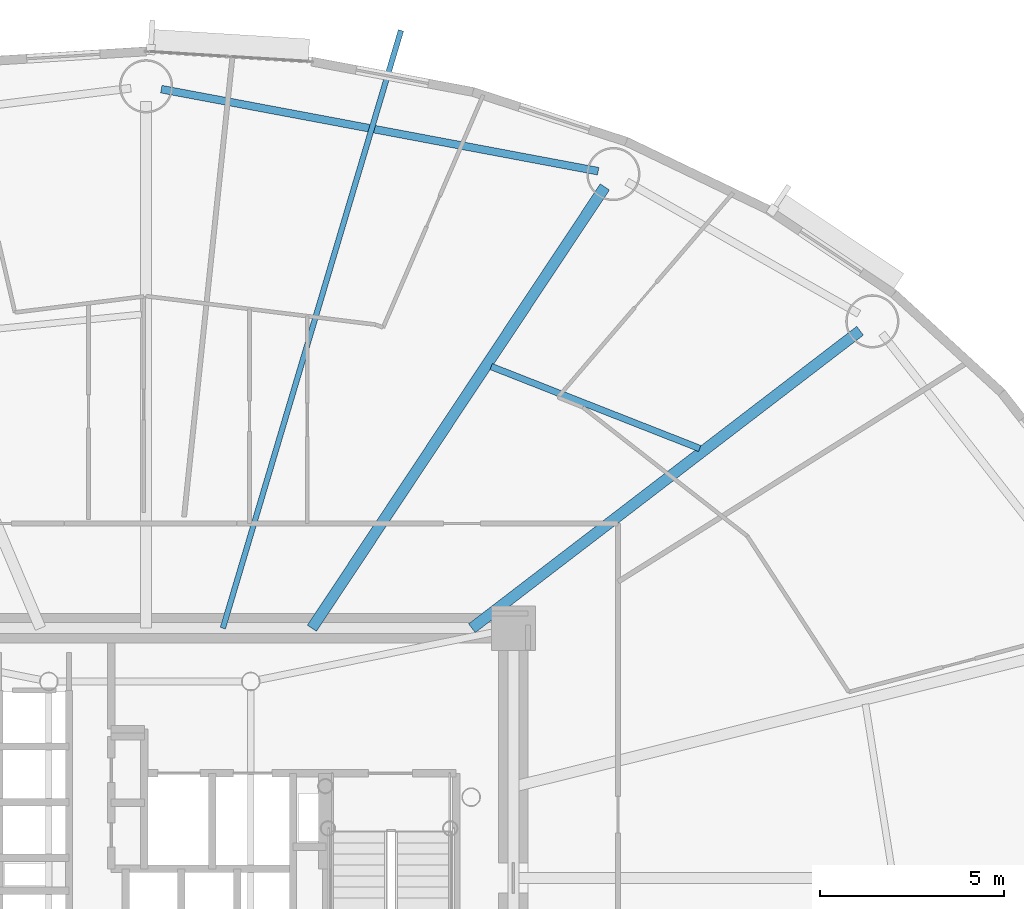
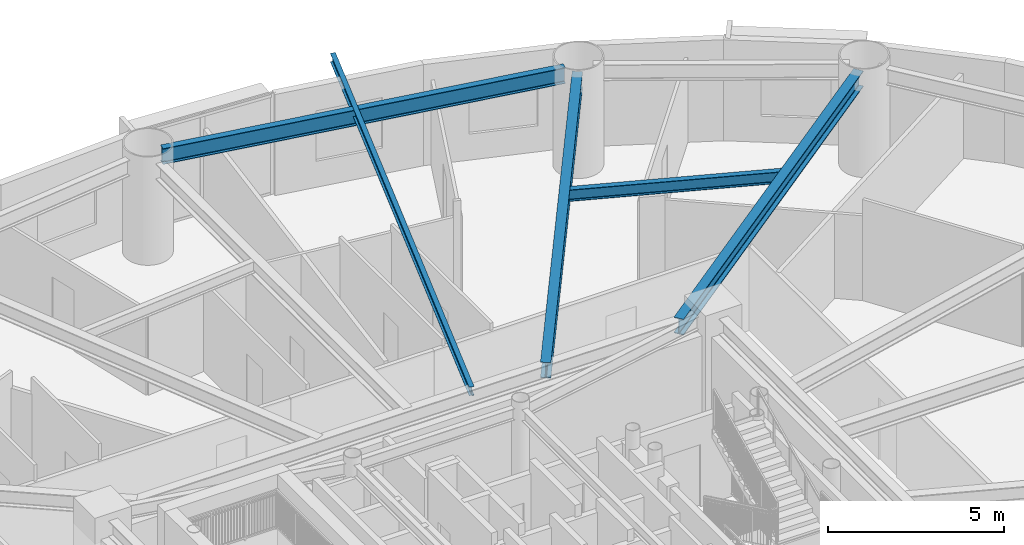
# One storey, part 5 of 18: 5 beams.
"""IFC4 building model written with IfcOpenShell, lengths in metres."""

from ifc_helpers import new_model, si_unit, direction, frame, origin, origin_2d, place, context, subcontext, project, spatial, i_section, extrude, material, material_profile, profile_set, type_object, element, save


model = new_model("IFC4")

# Units and contexts
model_context = context("Model", 3, precision=1e-05, world=origin(), true_north=direction((0.0, 1.0)))
body_context = subcontext(model_context, "Body", "Model", "MODEL_VIEW")
ifc_project = project(units=[si_unit("LENGTHUNIT", "METRE"), si_unit("AREAUNIT", "SQUARE_METRE"), si_unit("VOLUMEUNIT", "CUBIC_METRE"), si_unit("PLANEANGLEUNIT", "RADIAN"), si_unit("MASSUNIT", "GRAM", prefix="KILO")], contexts=[model_context])

# Site, building, storey
site_placement = place(None, origin())
site = spatial("IfcSite", under=ifc_project, at=site_placement, CompositionType="ELEMENT")
building_placement = place(site_placement, origin())
building = spatial("IfcBuilding", under=site, at=building_placement, Name="Linh Dai School and Residence Tower", CompositionType="ELEMENT")
storey_placement = place(building_placement, frame((0.0, 0.0, 123.449951171875)))
storey = spatial("IfcBuildingStorey", under=building, at=storey_placement, Name="L29", CompositionType="ELEMENT", Elevation=123.449951171875)

# Beams
ifc_material = material(Name="Structural Steel S355JR", Category="steel")
ifc_material_profile_1 = material_profile(ifc_material, i_section(OverallWidth=0.14990234375, OverallDepth=0.300048828125, WebThickness=0.007080078125, FlangeThickness=0.0107421875, at=origin_2d()), Name="IPE 300")
ifc_profile_set_1 = profile_set([ifc_material_profile_1], Name="Structural Steel S355JR")
beam_type_1 = type_object("IfcBeamType", Name="BM-BALC-CANT", PredefinedType="BEAM", material=ifc_profile_set_1)
beam_1_placement = place(storey_placement, frame((38.08935546875, 33.800048828125, 3.35009765625), z_axis=(0.285602713269, 0.958348104904, 0.0), x_axis=(-0.958348104904, 0.285602713269, 0.0)))
element("IfcBeam", 1, at=beam_1_placement, inside=storey, type_object=beam_type_1, Name="L30 Balcony Continuous Cantilever Beam 09", PredefinedType="BEAM", context=body_context, shape_type="SweptSolid", body=[
    extrude(i_section(OverallWidth=0.14990234375, OverallDepth=0.300048828125, WebThickness=0.007080078125, FlangeThickness=0.0107421875, at=origin_2d()), origin(), (0.0, 0.0, 1.0), 16.984619140625),
])
ifc_material_profile_2 = material_profile(ifc_material, i_section(OverallWidth=0.2099609375, OverallDepth=0.550048828125, WebThickness=0.010986328125, FlangeThickness=0.01708984375, FilletRadius=0.02392578125, at=origin_2d()), Name="IPE 550")
ifc_profile_set_2 = profile_set([ifc_material_profile_2], Name="Structural Steel S355JR")
beam_type_2 = type_object("IfcBeamType", Name="BM-RB55", PredefinedType="BEAM", material=ifc_profile_set_2)
beam_2_placement = place(storey_placement, frame((48.30908203125, 46.24267578125, 3.22509765625), z_axis=(-0.982807507457, 0.184633158685, 0.0), x_axis=(-0.184633158685, -0.982807507457, 0.0)))
element("IfcBeam", 2, at=beam_2_placement, inside=storey, type_object=beam_type_2, Name="L29 Perimeter Elliptical Ring Beam 04", PredefinedType="BEAM", context=body_context, shape_type="SweptSolid", body=[
    extrude(i_section(OverallWidth=0.2099609375, OverallDepth=0.550048828125, WebThickness=0.010986328125, FlangeThickness=0.01708984375, FilletRadius=0.02392578125, at=origin_2d()), origin(), (0.0, 0.0, 1.0), 12.104248046875),
])
ifc_material_profile_3 = material_profile(ifc_material, i_section(OverallWidth=0.300048828125, OverallDepth=0.550048828125, WebThickness=0.014892578125, FlangeThickness=0.029052734375, FilletRadius=0.027099609375, at=origin_2d()), Name="HEB 550")
ifc_profile_set_3 = profile_set([ifc_material_profile_3], Name="Structural Steel S355JR")
beam_type_3 = type_object("IfcBeamType", Name="BM-RG55", PredefinedType="BEAM", material=ifc_profile_set_3)
beam_3_placement = place(storey_placement, frame((44.87158203125, 33.800048828125, 3.22509765625), z_axis=(0.793678660795, 0.608337228352, 0.0), x_axis=(-0.608337228352, 0.793678660795, 0.0)))
element("IfcBeam", 3, at=beam_3_placement, inside=storey, type_object=beam_type_3, Name="L29 Primary Radial Floor Girder 03", PredefinedType="BEAM", context=body_context, shape_type="SweptSolid", body=[
    extrude(i_section(OverallWidth=0.300048828125, OverallDepth=0.550048828125, WebThickness=0.014892578125, FlangeThickness=0.029052734375, FilletRadius=0.027099609375, at=origin_2d()), origin(), (0.0, 0.0, 1.0), 13.314697265625),
])
beam_4_placement = place(storey_placement, frame((40.513916015625, 33.800048828125, 3.22509765625), z_axis=(0.553054392401, 0.833145148846, 0.0), x_axis=(-0.833145148846, 0.553054392401, 0.0)))
element("IfcBeam", 4, at=beam_4_placement, inside=storey, type_object=beam_type_3, Name="L29 Primary Radial Floor Girder 04", PredefinedType="BEAM", context=body_context, shape_type="SweptSolid", body=[
    extrude(i_section(OverallWidth=0.300048828125, OverallDepth=0.550048828125, WebThickness=0.014892578125, FlangeThickness=0.029052734375, FilletRadius=0.027099609375, at=origin_2d()), origin(), (0.0, 0.0, 1.0), 14.42138671875),
])
ifc_material_profile_4 = material_profile(ifc_material, i_section(OverallWidth=0.179931640625, OverallDepth=0.39990234375, WebThickness=0.008544921875, FlangeThickness=0.013427734375, FilletRadius=0.02099609375, at=origin_2d()), Name="IPE 400")
ifc_profile_set_4 = profile_set([ifc_material_profile_4], Name="Structural Steel S355JR")
beam_type_4 = type_object("IfcBeamType", Name="BM-SB40", PredefinedType="BEAM", material=ifc_profile_set_4)
beam_5_placement = place(storey_placement, frame((51.0732421875, 38.693603515625, 3.300048828125), z_axis=(-0.930755385045, 0.365642466365, 0.0), x_axis=(-0.365642466365, -0.930755385045, 0.0)))
element("IfcBeam", 5, at=beam_5_placement, inside=storey, type_object=beam_type_4, Name="L29 Secondary Circumferential Floor Beam 02", PredefinedType="BEAM", context=body_context, shape_type="SweptSolid", body=[
    extrude(i_section(OverallWidth=0.179931640625, OverallDepth=0.39990234375, WebThickness=0.008544921875, FlangeThickness=0.013427734375, FilletRadius=0.02099609375, at=origin_2d()), origin(), (0.0, 0.0, 1.0), 6.10009765625),
])

save(model, "model.ifc")
